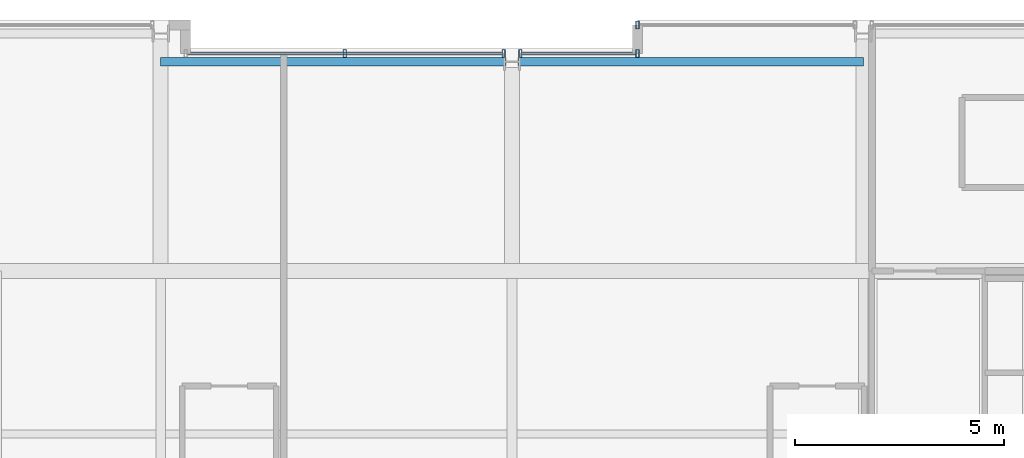
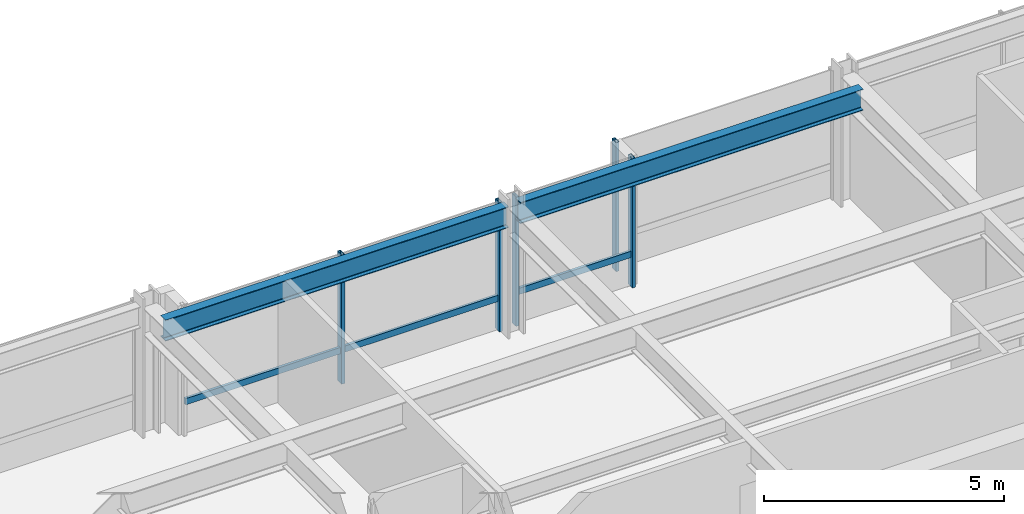
# One storey, part 22 of 32: 7 members, 2 beams, 3 elements without a shape of their own.
"""IFC4 building model written with IfcOpenShell, lengths in metres."""

from ifc_helpers import new_model, si_unit, direction, frame, origin, origin_2d, place, context, subcontext, project, spatial, hollow_rectangle, i_section, extrude, material, layer, layer_set, material_profile, profile_set, type_object, element, aggregate, save


model = new_model("IFC4")

# Units and contexts
model_context = context("Model", 3, precision=1e-05, world=origin(), true_north=direction((0.0, 1.0)))
body_context = subcontext(model_context, "Body", "Model", "MODEL_VIEW")
ifc_project = project(units=[si_unit("LENGTHUNIT", "METRE"), si_unit("AREAUNIT", "SQUARE_METRE"), si_unit("VOLUMEUNIT", "CUBIC_METRE"), si_unit("PLANEANGLEUNIT", "RADIAN"), si_unit("MASSUNIT", "GRAM", prefix="KILO")], contexts=[model_context])

# Site, building, storey
site_placement = place(None, origin())
site = spatial("IfcSite", under=ifc_project, at=site_placement, CompositionType="ELEMENT")
building_placement = place(site_placement, origin())
building = spatial("IfcBuilding", under=site, at=building_placement, Name="Drelvath Grand Hotel", CompositionType="ELEMENT")
storey_placement = place(building_placement, frame((0.0, 0.0, 164.60009765625)))
storey = spatial("IfcBuildingStorey", under=building, at=storey_placement, Name="L42", CompositionType="ELEMENT", Elevation=164.60009765625)

# Curtain wall, member
ifc_material_1 = material(Name="Brushed Pale-Silver Anodised Aluminium Frame", Category="aluminium")
ifc_layer = layer(ifc_material_1, 0.199951171875)
ifc_layer_set = layer_set([ifc_layer], Name="Brushed Pale-Silver Anodised Aluminium Frame")
curtain_wall_type = type_object("IfcCurtainWallType", Name="Stick Curtain Wall CW-04 Brushed Silver Upper-Mid", PredefinedType="NOTDEFINED", material=ifc_layer_set)
curtain_wall_1_placement = place(storey_placement, origin())
curtain_wall_1 = element("IfcCurtainWall", 1, at=curtain_wall_1_placement, inside=storey, type_object=curtain_wall_type, Name="L42 CW-04 Curtain Wall CW04-L42-NM1", PredefinedType="NOTDEFINED")
ifc_material_profile_1 = material_profile(ifc_material_1, hollow_rectangle(XDim=0.06494140625, YDim=0.159912109375, WallThickness=0.00390625, at=origin_2d()), Name="HSS160X65X4")
ifc_profile_set_1 = profile_set([ifc_material_profile_1], Name="Brushed Pale-Silver Anodised Aluminium Frame")
member_type_1 = type_object("IfcMemberType", Name="Curtain Wall Horizontal Transom CW-04 HSS160X65X4", PredefinedType="USERDEFINED", material=ifc_profile_set_1)
member_1_placement = place(storey_placement, frame((-7.760009765625, 48.39990234375, 0.822509765625), z_axis=(1.0, 0.0, 0.0), x_axis=(0.0, 1.0, 0.0)))
member_1 = element("IfcMember", 2, at=member_1_placement, type_object=member_type_1, Name="CW04-L42-NM1 Sill Transom", ObjectType="TRANSOM", PredefinedType="USERDEFINED", context=body_context, shape_type="SweptSolid", body=[
    extrude(hollow_rectangle(XDim=0.06494140625, YDim=0.159912109375, WallThickness=0.00390625, at=origin_2d()), origin(), (0.0, 0.0, 1.0), 7.52001953125),
])

curtain_wall_2_placement = place(storey_placement, origin())
curtain_wall_2 = element("IfcCurtainWall", 3, at=curtain_wall_2_placement, inside=storey, type_object=curtain_wall_type, Name="L42 CW-04 Curtain Wall CW04-L42-NM2", PredefinedType="NOTDEFINED")
member_2_placement = place(storey_placement, frame((0.239990234375, 48.39990234375, 0.822509765625), z_axis=(1.0, 0.0, 0.0), x_axis=(0.0, 1.0, 0.0)))
member_2 = element("IfcMember", 4, at=member_2_placement, type_object=member_type_1, Name="CW04-L42-NM2 Sill Transom", ObjectType="TRANSOM", PredefinedType="USERDEFINED", context=body_context, shape_type="SweptSolid", body=[
    extrude(hollow_rectangle(XDim=0.06494140625, YDim=0.159912109375, WallThickness=0.00390625, at=origin_2d()), origin(), (0.0, 0.0, 1.0), 2.719970703125),
])

# Member
ifc_material_profile_2 = material_profile(ifc_material_1, hollow_rectangle(XDim=0.074951171875, YDim=0.179931640625, WallThickness=0.0048828125, at=origin_2d()), Name="HSS180X75X5")
ifc_profile_set_2 = profile_set([ifc_material_profile_2], Name="Brushed Pale-Silver Anodised Aluminium Frame")
member_type_2 = type_object("IfcMemberType", Name="Curtain Wall Vertical Mullion CW-04 HSS180X75X5", PredefinedType="MULLION", material=ifc_profile_set_2)
member_3_placement = place(storey_placement, frame((-4.0, 48.39990234375, 0.0), z_axis=(0.0, 0.0, 1.0), x_axis=(1.0, 0.0, 0.0)))
member_3 = element("IfcMember", 5, at=member_3_placement, type_object=member_type_2, Name="CW04-L42-NM1 Mullion 2", PredefinedType="MULLION", context=body_context, shape_type="SweptSolid", body=[
    extrude(hollow_rectangle(XDim=0.074951171875, YDim=0.179931640625, WallThickness=0.0048828125, at=origin_2d()), origin(), (0.0, 0.0, 1.0), 3.289794921875),
])

member_4_placement = place(storey_placement, frame((-0.2001953125, 48.39990234375, 0.0), z_axis=(0.0, 0.0, 1.0), x_axis=(1.0, 0.0, 0.0)))
member_4 = element("IfcMember", 6, at=member_4_placement, type_object=member_type_2, Name="CW04-L42-NM1 Mullion 3", PredefinedType="MULLION", context=body_context, shape_type="SweptSolid", body=[
    extrude(hollow_rectangle(XDim=0.074951171875, YDim=0.179931640625, WallThickness=0.0048828125, at=origin_2d()), origin(), (0.0, 0.0, 1.0), 3.289794921875),
])

aggregate(curtain_wall_1, [member_3, member_4, member_1])

member_5_placement = place(storey_placement, frame((0.2001953125, 48.39990234375, 0.0), z_axis=(0.0, 0.0, 1.0), x_axis=(1.0, 0.0, 0.0)))
member_5 = element("IfcMember", 7, at=member_5_placement, type_object=member_type_2, Name="CW04-L42-NM2 Mullion 1", PredefinedType="MULLION", context=body_context, shape_type="SweptSolid", body=[
    extrude(hollow_rectangle(XDim=0.074951171875, YDim=0.179931640625, WallThickness=0.0048828125, at=origin_2d()), origin(), (0.0, 0.0, 1.0), 3.289794921875),
])

member_6_placement = place(storey_placement, frame((3.0, 48.39990234375, 0.0), z_axis=(0.0, 0.0, 1.0), x_axis=(1.0, 0.0, 0.0)))
member_6 = element("IfcMember", 8, at=member_6_placement, type_object=member_type_2, Name="CW04-L42-NM2 Mullion 2", PredefinedType="MULLION", context=body_context, shape_type="SweptSolid", body=[
    extrude(hollow_rectangle(XDim=0.074951171875, YDim=0.179931640625, WallThickness=0.0048828125, at=origin_2d()), origin(), (0.0, 0.0, 1.0), 3.289794921875),
])

aggregate(curtain_wall_2, [member_5, member_6, member_2])

# Curtain wall, member
curtain_wall_3_placement = place(storey_placement, origin())
curtain_wall_3 = element("IfcCurtainWall", 9, at=curtain_wall_3_placement, inside=storey, type_object=curtain_wall_type, Name="L42 CW-04 Curtain Wall CW04-L42-NE1", PredefinedType="NOTDEFINED")
member_7_placement = place(storey_placement, frame((3.0, 49.080078125, 0.0), z_axis=(0.0, 0.0, 1.0), x_axis=(1.0, 0.0, 0.0)))
member_7 = element("IfcMember", 10, at=member_7_placement, type_object=member_type_2, Name="CW04-L42-NE1 Mullion 1", PredefinedType="MULLION", context=body_context, shape_type="SweptSolid", body=[
    extrude(hollow_rectangle(XDim=0.074951171875, YDim=0.179931640625, WallThickness=0.0048828125, at=origin_2d()), origin(), (0.0, 0.0, 1.0), 3.289794921875),
])
aggregate(curtain_wall_3, [member_7])

# Beams
ifc_material_2 = material(Name="Steel ASTM A992 Gr 50", Category="steel")
ifc_material_profile_3 = material_profile(ifc_material_2, i_section(OverallWidth=0.210205078125, OverallDepth=0.53662109375, WebThickness=0.010986328125, FlangeThickness=0.017333984375, FilletRadius=0.01806640625, at=origin_2d()), Name="W21X68")
ifc_profile_set_3 = profile_set([ifc_material_profile_3], Name="Steel ASTM A992 Gr 50")
beam_type = type_object("IfcBeamType", Name="Perimeter Spandrel Beam W21X68", PredefinedType="SPANDREL", material=ifc_profile_set_3)
for number, where, z_axis, x_axis, name in (
    (11, (-8.39990234375, 48.199951171875, 3.021484375), (1.0, 0.0, 0.0), (0.0, 1.0, 0.0), "L42 Spandrel North Mid W"),
    (12, (0.139892578125, 48.199951171875, 3.021484375), (1.0, 0.0, 0.0), (0.0, 1.0, 0.0), "L42 Spandrel North Mid E"),
):
    element("IfcBeam", number, at=place(storey_placement, frame(where, z_axis=z_axis, x_axis=x_axis)), inside=storey, type_object=beam_type, Name=name, PredefinedType="SPANDREL", context=body_context, shape_type="SweptSolid", body=[
        extrude(i_section(OverallWidth=0.210205078125, OverallDepth=0.53662109375, WebThickness=0.010986328125, FlangeThickness=0.017333984375, FilletRadius=0.01806640625, at=origin_2d()), origin(), (0.0, 0.0, 1.0), 8.260009765625),
    ])

save(model, "model.ifc")
